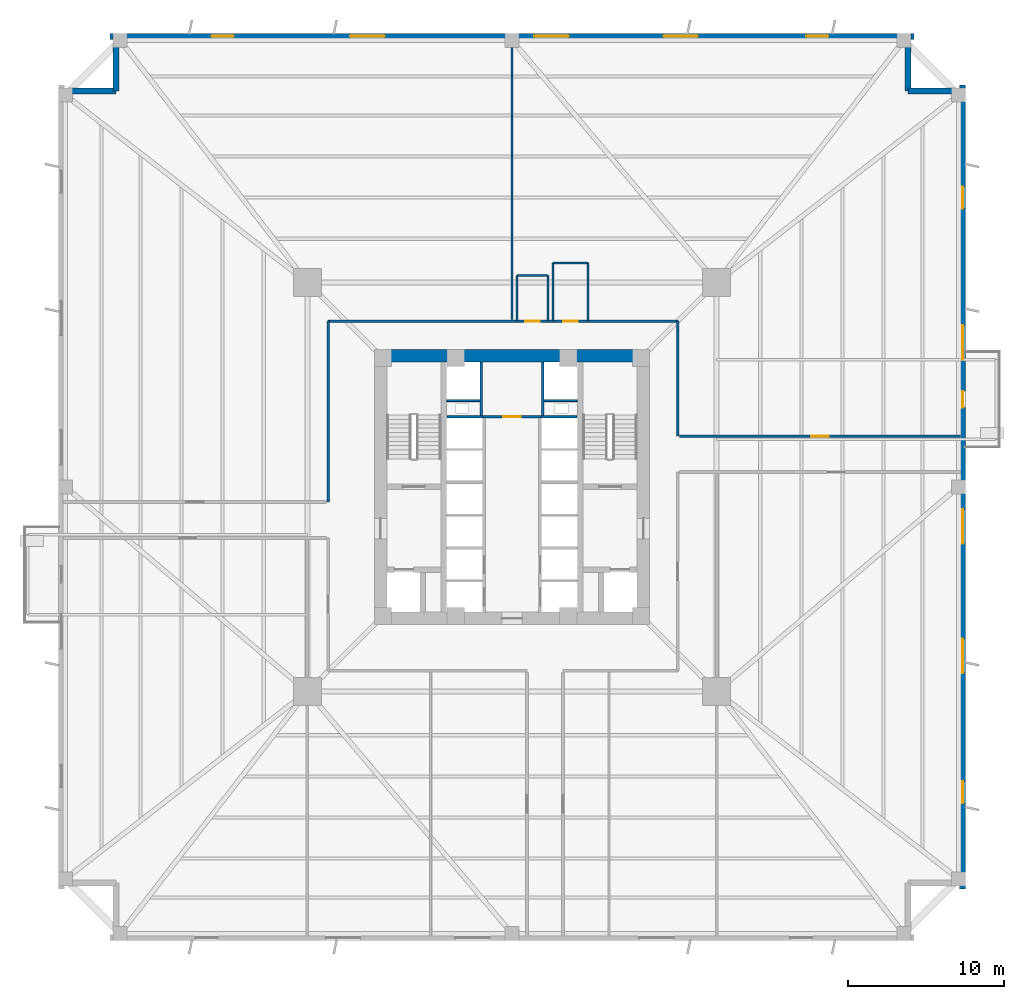
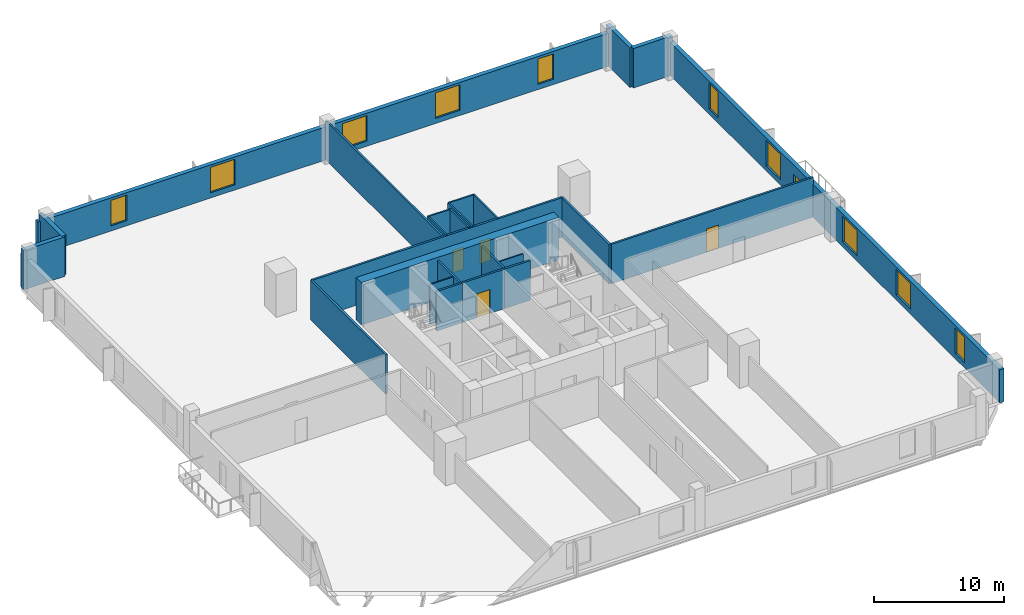
# One storey, part 4 of 9: 25 walls, 10 windows, 5 doors, 15 openings.
"""IFC4 building model written with IfcOpenShell, lengths in metres."""

import ifcopenshell
import ifcopenshell.guid

model = None  # the IFC model being written
_history = None  # IfcOwnerHistory: only IFC2X3 demands one
_inside = {}  # id of a spatial element -> (the spatial element, [elements in it])
_under = {}  # id of a project, library or spatial element -> (it, [spatial elements below it])
_declared = {}  # id of a project -> (the project, [libraries it declares])
_typed = {}  # id of a type object -> (the type object, [elements of that type])
_made_of = {}  # id of a material, layer set ... -> (it, [elements and type objects made of it])


def new_model(schema):
    """Start an empty IFC model of exactly this schema.

    Asked for "IFC4X3", IfcOpenShell would pick the latest addendum, in which some entities
    have other attributes; the version numbers below select the first issue.
    IFC2X3 requires an IfcOwnerHistory on every rooted entity: one is made here for all.
    """
    global model, _history
    if schema == "IFC4X3":
        model = ifcopenshell.file(schema_version=(4, 3, 0, 0))
    else:
        model = ifcopenshell.file(schema=schema)
    _inside.clear()
    _under.clear()
    _declared.clear()
    _typed.clear()
    _made_of.clear()
    _history = None
    if model.schema == "IFC2X3":
        org = make("IfcOrganization", Name="unknown")
        user = make(
            "IfcPersonAndOrganization",
            ThePerson=make("IfcPerson", FamilyName="unknown"),
            TheOrganization=org,
        )
        app = make(
            "IfcApplication",
            ApplicationDeveloper=org,
            Version="unknown",
            ApplicationFullName="unknown",
            ApplicationIdentifier="unknown",
        )
        _history = make(
            "IfcOwnerHistory",
            OwningUser=user,
            OwningApplication=app,
            ChangeAction="ADDED",
            CreationDate=0,
        )
    return model


def make(cls, **values):
    """One entity of the class cls with the attributes given. An attribute that is None is left unset."""
    return model.create_entity(
        cls, **{name: value for name, value in values.items() if value is not None}
    )


def rooted(cls, **values):
    """An entity with a GlobalId (a new one), such as an element, a storey or a relation."""
    return make(cls, GlobalId=ifcopenshell.guid.new(), OwnerHistory=_history, **values)


def si_unit(unit_type, name, prefix=None):
    """IfcSIUnit, for example si_unit("LENGTHUNIT", "METRE", prefix="MILLI")."""
    return make("IfcSIUnit", UnitType=unit_type, Prefix=prefix, Name=name)


def assignment(units):
    """IfcUnitAssignment: the units of a project."""
    return None if units is None else make("IfcUnitAssignment", Units=units)


def point(xyz):
    """IfcCartesianPoint."""
    return None if xyz is None else make("IfcCartesianPoint", Coordinates=xyz)


def direction(xyz):
    """IfcDirection."""
    return None if xyz is None else make("IfcDirection", DirectionRatios=xyz)


def frame(location, z_axis=None, x_axis=None):
    """IfcAxis2Placement3D, a coordinate frame: its origin and axes. An axis left out is left unset."""
    return make(
        "IfcAxis2Placement3D",
        Location=point(location),
        Axis=direction(z_axis),
        RefDirection=direction(x_axis),
    )


def frame_2d(location, x_axis=None):
    """IfcAxis2Placement2D, a coordinate frame in the plane: its origin and x axis."""
    return make(
        "IfcAxis2Placement2D", Location=point(location), RefDirection=direction(x_axis)
    )


def origin():
    """The frame at (0, 0, 0) with its axes left unset."""
    return frame((0.0, 0.0, 0.0))


def place(relative_to, where):
    """IfcLocalPlacement: puts the frame where relative to a parent placement (None: the world)."""
    return make(
        "IfcLocalPlacement", PlacementRelTo=relative_to, RelativePlacement=where
    )


def context(
    kind, dimensions, precision=None, world=None, true_north=None, identifier=None
):
    """IfcGeometricRepresentationContext, for example the 3D "Model" context."""
    return make(
        "IfcGeometricRepresentationContext",
        ContextIdentifier=identifier,
        ContextType=kind,
        CoordinateSpaceDimension=dimensions,
        Precision=precision,
        WorldCoordinateSystem=world,
        TrueNorth=true_north,
    )


def subcontext(parent, identifier, kind, view, scale=None):
    """IfcGeometricRepresentationSubContext, for example "Body" below "Model"."""
    return make(
        "IfcGeometricRepresentationSubContext",
        ContextIdentifier=identifier,
        ContextType=kind,
        ParentContext=parent,
        TargetScale=scale,
        TargetView=view,
    )


def project(units=None, contexts=None):
    """IfcProject with its units and contexts."""
    return rooted(
        "IfcProject",
        Name="project",
        RepresentationContexts=contexts,
        UnitsInContext=assignment(units),
    )


def spatial(cls, under=None, at=None, **own):
    """A site, building, storey or space (cls), placed at a placement, below another one or the project."""
    s = rooted(cls, ObjectPlacement=at, **own)
    if under is not None:
        _under.setdefault(under.id(), (under, []))[1].append(s)
    return s


def profile(cls, at=None, kind="AREA", **sizes):
    """A parametric profile (cls). Its sizes go by their IFC names, for example OverallWidth=200.0."""
    return make(cls, ProfileType=kind, Position=at, **sizes)


def rectangle(**sizes):
    """IfcRectangleProfileDef."""
    return profile("IfcRectangleProfileDef", **sizes)


def extrude(swept, where, along, depth):
    """IfcExtrudedAreaSolid: the profile swept, set in the frame where, extruded along a direction by depth."""
    return make(
        "IfcExtrudedAreaSolid",
        SweptArea=swept,
        Position=where,
        ExtrudedDirection=direction(along),
        Depth=depth,
    )


def shape(context_of_items, identifier, shape_type, items):
    """IfcShapeRepresentation: the items that make up one representation, for example the "Body"."""
    return make(
        "IfcShapeRepresentation",
        ContextOfItems=context_of_items,
        RepresentationIdentifier=identifier,
        RepresentationType=shape_type,
        Items=items,
    )


def source(mapping_origin, context_of_items, identifier, shape_type, items):
    """IfcRepresentationMap: a shape defined once, which mapped items show again and again."""
    return make(
        "IfcRepresentationMap",
        MappingOrigin=mapping_origin,
        MappedRepresentation=shape(context_of_items, identifier, shape_type, items),
    )


def transform(
    local_origin,
    x_axis=None,
    y_axis=None,
    z_axis=None,
    scale=None,
    scale2=None,
    scale3=None,
    uniform=True,
):
    """IfcCartesianTransformationOperator3D, or its non-uniform kind. x_axis, y_axis, z_axis: its Axis1, 2, 3."""
    if uniform:
        return make(
            "IfcCartesianTransformationOperator3D",
            Axis1=direction(x_axis),
            Axis2=direction(y_axis),
            LocalOrigin=point(local_origin),
            Scale=scale,
            Axis3=direction(z_axis),
        )
    return make(
        "IfcCartesianTransformationOperator3DnonUniform",
        Axis1=direction(x_axis),
        Axis2=direction(y_axis),
        LocalOrigin=point(local_origin),
        Scale=scale,
        Axis3=direction(z_axis),
        Scale2=scale2,
        Scale3=scale3,
    )


def mapped(mapping_source, mapping_target):
    """IfcMappedItem: shows the shape of a source again, moved by a transform."""
    return make(
        "IfcMappedItem", MappingSource=mapping_source, MappingTarget=mapping_target
    )


def material(Name=None, Category=None):
    """IfcMaterial."""
    return make("IfcMaterial", Name=Name, Category=Category)


def layer(
    of_material, thickness, ventilated=None, Name=None, Category=None, Priority=None
):
    """IfcMaterialLayer: one layer of a wall or slab, of a material (None: an air gap)."""
    return make(
        "IfcMaterialLayer",
        Material=of_material,
        LayerThickness=thickness,
        IsVentilated=ventilated,
        Name=Name,
        Category=Category,
        Priority=Priority,
    )


def layer_set(layers, Name=None):
    """IfcMaterialLayerSet."""
    return make("IfcMaterialLayerSet", MaterialLayers=layers, LayerSetName=Name)


def made_of(thing, what):
    """Note that an element or type object is made of a material, layer set ...; save() writes the relation."""
    if what is not None:
        _made_of.setdefault(what.id(), (what, []))[1].append(thing)
    return thing


def type_object(cls, material=None, **own):
    """A type object (cls), such as IfcWallType, which elements share."""
    return made_of(rooted(cls, **own), material)


def element(
    cls,
    number,
    at=None,
    inside=None,
    cuts=None,
    type_object=None,
    material=None,
    context=None,
    identifier="Body",
    shape_type=None,
    held_by="IfcProductDefinitionShape",
    body=None,
    shapes=None,
    **own,
):
    """One element of the class cls, such as IfcWall. Its Tag is "e" and its number.

    at: its placement. inside: the storey or other place that contains it. cuts: it is an
    opening in that element (IfcRelVoidsElement). A single representation is given by context,
    identifier, shape_type and body (its items); several are given by shapes. held_by: the class
    of the entity that holds the representations. save() writes the other relations.
    """
    e = rooted(cls, Tag="e%d" % number, ObjectPlacement=at, **own)
    if body is not None:
        shapes = [shape(context, identifier, shape_type, body)]
    if shapes is not None:
        e.Representation = make(held_by, Representations=shapes)
    if inside is not None:
        _inside.setdefault(inside.id(), (inside, []))[1].append(e)
    if cuts is not None:
        rooted(
            "IfcRelVoidsElement", RelatingBuildingElement=cuts, RelatedOpeningElement=e
        )
    if type_object is not None:
        _typed.setdefault(type_object.id(), (type_object, []))[1].append(e)
    return made_of(e, material)


def fill(opening, filler):
    """IfcRelFillsElement: the door or window that sits in an opening."""
    return rooted(
        "IfcRelFillsElement",
        RelatingOpeningElement=opening,
        RelatedBuildingElement=filler,
    )


def aggregate(whole, parts):
    """IfcRelAggregates: a whole, such as a stair, and the parts it consists of."""
    return rooted("IfcRelAggregates", RelatingObject=whole, RelatedObjects=parts)


def save(model, path):
    """Write the relations noted so far, then the file.

    IfcRelAggregates (storeys below a building ...), IfcRelContainedInSpatialStructure (elements
    in a storey), IfcRelDefinesByType, IfcRelAssociatesMaterial and IfcRelDeclares: one each for
    every whole, place, type object, material and project.
    """
    for whole, parts in _under.values():
        aggregate(whole, parts)
    for where, things in _inside.values():
        rooted(
            "IfcRelContainedInSpatialStructure",
            RelatedElements=things,
            RelatingStructure=where,
        )
    for kind, things in _typed.values():
        rooted("IfcRelDefinesByType", RelatedObjects=things, RelatingType=kind)
    for what, things in _made_of.values():
        rooted("IfcRelAssociatesMaterial", RelatedObjects=things, RelatingMaterial=what)
    for by, libraries in _declared.values():
        rooted("IfcRelDeclares", RelatingContext=by, RelatedDefinitions=libraries)
    model.write(path)


model = new_model("IFC4")

# Units and contexts
model_context = context("Model", 3, precision=1e-05, world=origin(), true_north=direction((0.0, 1.0)))
body_context = subcontext(model_context, "Body", "Model", "MODEL_VIEW")
ifc_project = project(units=[si_unit("LENGTHUNIT", "METRE"), si_unit("AREAUNIT", "SQUARE_METRE"), si_unit("VOLUMEUNIT", "CUBIC_METRE"), si_unit("PLANEANGLEUNIT", "RADIAN"), si_unit("MASSUNIT", "GRAM", prefix="KILO"), si_unit("THERMODYNAMICTEMPERATUREUNIT", "KELVIN")], contexts=[model_context])

# Site, building, storey
site_placement = place(None, origin())
site = spatial("IfcSite", under=ifc_project, at=site_placement, CompositionType="ELEMENT")
building_placement = place(site_placement, origin())
building = spatial("IfcBuilding", under=site, at=building_placement, Name="Kosmvard Interchange Tower", CompositionType="ELEMENT")
storey_placement = place(building_placement, frame((0.0, 0.0, 58.0)))
storey = spatial("IfcBuildingStorey", under=building, at=storey_placement, Name="L13", CompositionType="ELEMENT", Elevation=58.0)

# Walls
ifc_material_1 = material(Name="Acoustic gypsum partition system")
ifc_layer_1 = layer(ifc_material_1, 0.14990234375, Name="Acoustic gypsum partition system")
ifc_layer_set_1 = layer_set([ifc_layer_1], Name="Acoustic gypsum partition system")
wall_type_1 = type_object("IfcWallType", Name="Acoustic Suite & Meeting Partition 150", PredefinedType="PARTITIONING", material=ifc_layer_set_1)
wall_1_placement = place(storey_placement, frame((0.0, 10.695068359375, 0.0), z_axis=(0.0, 0.0, 1.0), x_axis=(0.0, 1.0, 0.0)))
element("IfcWall", 1, at=wall_1_placement, inside=storey, type_object=wall_type_1, Name="L13 Room Partition 01.1", PredefinedType="PARTITIONING", context=body_context, shape_type="SweptSolid", body=[
    extrude(rectangle(XDim=17.989990234375, YDim=0.14990234375, at=frame_2d((8.9951171875, 0.0))), origin(), (0.0, 0.0, 1.0), 3.719970703125),
])
ifc_material_2 = material(Name="Fire-rated gypsum partition system")
ifc_layer_2 = layer(ifc_material_2, 0.159912109375, Name="Fire-rated gypsum partition system")
ifc_layer_set_2 = layer_set([ifc_layer_2], Name="Fire-rated gypsum partition system")
wall_type_2 = type_object("IfcWallType", Name="Core Compartment & Shuttle Lobby Partition 160", PredefinedType="PARTITIONING", material=ifc_layer_set_2)
for number, where, z_axis, x_axis, name in (
    (2, (-1.9599609375, 4.580078125, 0.0), (0.0, 0.0, 1.0), (0.0, 1.0, 0.0), "L13 North Core West Wall"),
    (3, (1.9599609375, 4.580078125, 0.0), (0.0, 0.0, 1.0), (0.0, 1.0, 0.0), "L13 North Core East Wall"),
):
    element("IfcWall", number, at=place(storey_placement, frame(where, z_axis=z_axis, x_axis=x_axis)), inside=storey, type_object=wall_type_2, Name=name, PredefinedType="PARTITIONING", context=body_context, shape_type="SweptSolid", body=[
        extrude(rectangle(XDim=3.39990234375, YDim=0.159912109375, at=frame_2d((1.699951171875, 0.0))), origin(), (0.0, 0.0, 1.0), 3.719970703125),
    ])

# Wall, opening, door
ifc_layer_3 = layer(ifc_material_2, 0.179931640625, Name="Fire-rated gypsum partition system")
ifc_layer_set_3 = layer_set([ifc_layer_3], Name="Fire-rated gypsum partition system")
wall_type_3 = type_object("IfcWallType", Name="Corridor & Hotel Compartment Partition 180", PredefinedType="PARTITIONING", material=ifc_layer_set_3)
wall_2_placement = place(storey_placement, frame((-1.8798828125, 4.489990234375, 0.0), z_axis=(0.0, 0.0, 1.0), x_axis=(1.0, 0.0, 0.0)))
wall_2 = element("IfcWall", 4, at=wall_2_placement, inside=storey, type_object=wall_type_3, Name="L13 Lift Lobby North Partition", PredefinedType="PARTITIONING", context=body_context, shape_type="SweptSolid", body=[
    extrude(rectangle(XDim=3.759765625, YDim=0.179931640625, at=frame_2d((1.8798828125, 0.0))), origin(), (0.0, 0.0, 1.0), 3.719970703125),
])
opening_1_placement = place(wall_2_placement, frame((1.304931640625, 0.0, 0.0)))
opening_1 = element("IfcOpeningElement", 5, at=opening_1_placement, cuts=wall_2, Name="Opening L13-KD1", PredefinedType="OPENING", context=body_context, shape_type="SweptSolid", body=[
    extrude(rectangle(XDim=1.14990234375, YDim=2.25, at=frame_2d((0.574951171875, 1.125))), frame((0.0, 0.10009765625, 0.0), z_axis=(0.0, -1.0, 0.0), x_axis=(1.0, 0.0, 0.0)), (0.0, 0.0, 1.0), 0.199951171875),
])
ifc_material_3 = material(Name="Painted fire-rated steel leaf", Category="steel")
door_type_1 = type_object("IfcDoorType", Name="Plant & Riser Fire Door 1150x2250 EI60", OperationType="NOTDEFINED", PredefinedType="DOOR", material=ifc_material_3)
shared_shape_1 = source(origin(), body_context, "Body", "SweptSolid", [
    extrude(rectangle(XDim=1.14990234375, YDim=2.25, at=frame_2d((0.574951171875, 1.125))), frame((0.0, 0.02490234375, 0.0), z_axis=(0.0, -1.0, 0.0), x_axis=(1.0, 0.0, 0.0)), (0.0, 0.0, 1.0), 0.050048828125),
])
door_1_placement = place(opening_1_placement, origin())
door_1 = element("IfcDoor", 6, at=door_1_placement, inside=storey, type_object=door_type_1, Name="L13 Core IT Room Door", OperationType="SINGLE_SWING_LEFT", OverallHeight=2.25, OverallWidth=1.14990234375, PredefinedType="DOOR", context=body_context, shape_type="MappedRepresentation", body=[
    mapped(shared_shape_1, transform((0.0, 0.0, 0.0), scale=1.0)),
])
fill(opening_1, door_1)

# Wall, openings, doors
wall_3_placement = place(storey_placement, frame((-11.75, 10.60009765625, 0.0), z_axis=(0.0, 0.0, 1.0), x_axis=(1.0, 0.0, 0.0)))
wall_3 = element("IfcWall", 7, at=wall_3_placement, inside=storey, type_object=wall_type_3, Name="L13 Corridor Wall CN", PredefinedType="PARTITIONING", context=body_context, shape_type="SweptSolid", body=[
    extrude(rectangle(XDim=22.35009765625, YDim=0.179931640625, at=frame_2d((11.175048828125, 0.0))), origin(), (0.0, 0.0, 1.0), 3.719970703125),
])
opening_2_placement = place(wall_3_placement, frame((12.586181640625, 0.0, 0.0)))
opening_2 = element("IfcOpeningElement", 8, at=opening_2_placement, cuts=wall_3, Name="Opening L13-D01", PredefinedType="OPENING", context=body_context, shape_type="SweptSolid", body=[
    extrude(rectangle(XDim=0.949951171875, YDim=2.10009765625, at=frame_2d((0.47509765625, 1.050048828125))), frame((0.0, 0.10009765625, 0.0), z_axis=(0.0, -1.0, 0.0), x_axis=(1.0, 0.0, 0.0)), (0.0, 0.0, 1.0), 0.199951171875),
])
opening_3_placement = place(wall_3_placement, frame((15.01025390625, 0.0, 0.0)))
opening_3 = element("IfcOpeningElement", 9, at=opening_3_placement, cuts=wall_3, Name="Opening L13-D02", PredefinedType="OPENING", context=body_context, shape_type="SweptSolid", body=[
    extrude(rectangle(XDim=0.949951171875, YDim=2.10009765625, at=frame_2d((0.47509765625, 1.050048828125))), frame((0.0, 0.10009765625, 0.0), z_axis=(0.0, -1.0, 0.0), x_axis=(1.0, 0.0, 0.0)), (0.0, 0.0, 1.0), 0.199951171875),
])
ifc_material_4 = material(Name="Laminated moisture-resistant timber", Category="wood")
door_type_2 = type_object("IfcDoorType", Name="Accessible Washroom Door 950x2100", OperationType="NOTDEFINED", PredefinedType="DOOR", material=ifc_material_4)
shared_shape_2 = source(origin(), body_context, "Body", "SweptSolid", [
    extrude(rectangle(XDim=0.949951171875, YDim=2.10009765625, at=frame_2d((0.47509765625, 1.050048828125))), frame((0.0, 0.02490234375, 0.0), z_axis=(0.0, -1.0, 0.0), x_axis=(1.0, 0.0, 0.0)), (0.0, 0.0, 1.0), 0.050048828125),
])
door_2_placement = place(opening_2_placement, origin())
door_2 = element("IfcDoor", 10, at=door_2_placement, inside=storey, type_object=door_type_2, Name="L13 Accessible Toilet Door", OperationType="SINGLE_SWING_LEFT", OverallHeight=2.10009765625, OverallWidth=0.949951171875, PredefinedType="DOOR", context=body_context, shape_type="MappedRepresentation", body=[
    mapped(shared_shape_2, transform((0.0, 0.0, 0.0), scale=1.0)),
])
fill(opening_2, door_2)
door_3_placement = place(opening_3_placement, origin())
door_3 = element("IfcDoor", 11, at=door_3_placement, inside=storey, type_object=door_type_2, Name="L13 Public Floor Washroom Door", OperationType="SINGLE_SWING_RIGHT", OverallHeight=2.10009765625, OverallWidth=0.949951171875, PredefinedType="DOOR", context=body_context, shape_type="MappedRepresentation", body=[
    mapped(shared_shape_2, transform((0.0, 0.0, 0.0), scale=1.0)),
])
fill(opening_3, door_3)

# Walls
wall_4_placement = place(storey_placement, frame((-11.75, -0.949951171875, 0.0), z_axis=(0.0, 0.0, 1.0), x_axis=(0.0, 1.0, 0.0)))
element("IfcWall", 12, at=wall_4_placement, inside=storey, type_object=wall_type_3, Name="L13 Corridor Wall CWN", PredefinedType="PARTITIONING", context=body_context, shape_type="SweptSolid", body=[
    extrude(rectangle(XDim=11.550048828125, YDim=0.179931640625, at=frame_2d((5.77490234375, 0.0))), origin(), (0.0, 0.0, 1.0), 3.719970703125),
])
wall_5_placement = place(storey_placement, frame((10.60009765625, 3.25, 0.0), z_axis=(0.0, 0.0, 1.0), x_axis=(0.0, 1.0, 0.0)))
element("IfcWall", 13, at=wall_5_placement, inside=storey, type_object=wall_type_3, Name="L13 Corridor Wall CEN", PredefinedType="PARTITIONING", context=body_context, shape_type="SweptSolid", body=[
    extrude(rectangle(XDim=7.35009765625, YDim=0.179931640625, at=frame_2d((3.675048828125, 0.0))), origin(), (0.0, 0.0, 1.0), 3.719970703125),
])

# Wall, opening, door
wall_6_placement = place(storey_placement, frame((10.699951171875, 3.25, 0.0), z_axis=(0.0, 0.0, 1.0), x_axis=(1.0, 0.0, 0.0)))
wall_6 = element("IfcWall", 14, at=wall_6_placement, inside=storey, type_object=wall_type_3, Name="L13 Corridor Wall SEN", PredefinedType="PARTITIONING", context=body_context, shape_type="SweptSolid", body=[
    extrude(rectangle(XDim=17.985107421875, YDim=0.179931640625, at=frame_2d((8.99267578125, 0.0))), origin(), (0.0, 0.0, 1.0), 3.719970703125),
])
opening_4_placement = place(wall_6_placement, frame((8.4423828125, 0.0, 0.0)))
opening_4 = element("IfcOpeningElement", 15, at=opening_4_placement, cuts=wall_6, Name="Opening L13-D04", PredefinedType="OPENING", context=body_context, shape_type="SweptSolid", body=[
    extrude(rectangle(XDim=1.10009765625, YDim=2.199951171875, at=frame_2d((0.550048828125, 1.10009765625))), frame((0.0, 0.10009765625, 0.0), z_axis=(0.0, -1.0, 0.0), x_axis=(1.0, 0.0, 0.0)), (0.0, 0.0, 1.0), 0.199951171875),
])
ifc_material_5 = material(Name="Engineered oak fire-rated timber", Category="wood")
door_type_3 = type_object("IfcDoorType", Name="Office Suite Entrance Door 1100x2200 FD30S", OperationType="NOTDEFINED", PredefinedType="DOOR", material=ifc_material_5)
shared_shape_3 = source(origin(), body_context, "Body", "SweptSolid", [
    extrude(rectangle(XDim=1.10009765625, YDim=2.199951171875, at=frame_2d((0.550048828125, 1.10009765625))), frame((0.0, 0.02490234375, 0.0), z_axis=(0.0, -1.0, 0.0), x_axis=(1.0, 0.0, 0.0)), (0.0, 0.0, 1.0), 0.050048828125),
])
door_4_placement = place(opening_4_placement, origin())
door_4 = element("IfcDoor", 16, at=door_4_placement, inside=storey, type_object=door_type_3, Name="L13 Transit Briefing Auditorium Door", OperationType="SINGLE_SWING_RIGHT", OverallHeight=2.199951171875, OverallWidth=1.10009765625, PredefinedType="DOOR", context=body_context, shape_type="MappedRepresentation", body=[
    mapped(shared_shape_3, transform((0.0, 0.0, 0.0), scale=1.0)),
])
fill(opening_4, door_4)

# Wall
ifc_material_6 = material(Name="Concrete C80/95", Category="concrete")
ifc_layer_4 = layer(ifc_material_6, 0.800048828125, Name="Concrete C80/95")
ifc_layer_set_4 = layer_set([ifc_layer_4], Name="Concrete C80/95")
wall_type_4 = type_object("IfcWallType", Name="Lower Core Shear Wall 800 C80/95", PredefinedType="SHEAR", material=ifc_layer_set_4)
wall_7_placement = place(storey_placement, frame((-8.800048828125, 8.39990234375, 0.0), z_axis=(0.0, 0.0, 1.0), x_axis=(1.0, 0.0, 0.0)))
element("IfcWall", 17, at=wall_7_placement, inside=storey, type_object=wall_type_4, Name="L13 Core Shear Wall CW-N", PredefinedType="SHEAR", context=body_context, shape_type="SweptSolid", body=[
    extrude(rectangle(XDim=17.60009765625, YDim=0.800048828125, at=frame_2d((8.800048828125, 0.0))), origin(), (0.0, 0.0, 1.0), 4.0),
])

# Wall, openings, door, windows
ifc_material_7 = material(Name="Precast concrete C45/55", Category="concrete")
ifc_layer_5 = layer(ifc_material_7, 0.3798828125, Name="Precast concrete C45/55")
ifc_layer_set_5 = layer_set([ifc_layer_5], Name="Precast concrete C45/55")
wall_type_5 = type_object("IfcWallType", Name="Lower Tower Precast Pier Wall 380 C45/55", PredefinedType="STANDARD", material=ifc_layer_set_5)
wall_8_placement = place(storey_placement, frame((28.81005859375, -25.68994140625, 0.0), z_axis=(0.0, 0.0, 1.0), x_axis=(0.0, 1.0, 0.0)))
wall_8 = element("IfcWall", 18, at=wall_8_placement, inside=storey, type_object=wall_type_5, Name="L13 Precast Facade Wall F-E", PredefinedType="STANDARD", context=body_context, shape_type="SweptSolid", body=[
    extrude(rectangle(XDim=51.3798828125, YDim=0.3798828125, at=frame_2d((25.68994140625, 0.0))), origin(), (0.0, 0.0, 1.0), 3.1201171875),
])
opening_5_placement = place(wall_8_placement, frame((30.764892578125, 0.0, 0.0)))
opening_5 = element("IfcOpeningElement", 19, at=opening_5_placement, cuts=wall_8, Name="Opening L13-BDE", PredefinedType="OPENING", context=body_context, shape_type="SweptSolid", body=[
    extrude(rectangle(XDim=1.050048828125, YDim=2.25, at=frame_2d((0.52490234375, 1.125))), frame((0.0, 0.199951171875, 0.0), z_axis=(0.0, -1.0, 0.0), x_axis=(1.0, 0.0, 0.0)), (0.0, 0.0, 1.0), 0.39990234375),
])
opening_6_placement = place(wall_8_placement, frame((5.465576171875, 0.0, 0.489990234375)))
opening_6 = element("IfcOpeningElement", 20, at=opening_6_placement, cuts=wall_8, Name="Opening L13-W06", PredefinedType="OPENING", context=body_context, shape_type="SweptSolid", body=[
    extrude(rectangle(XDim=1.39990234375, YDim=2.39990234375, at=frame_2d((0.699951171875, 1.199951171875))), frame((0.0, 0.199951171875, 0.0), z_axis=(0.0, -1.0, 0.0), x_axis=(1.0, 0.0, 0.0)), (0.0, 0.0, 1.0), 0.39990234375),
])
opening_7_placement = place(wall_8_placement, frame((13.80029296875, 0.0, 0.489990234375)))
opening_7 = element("IfcOpeningElement", 21, at=opening_7_placement, cuts=wall_8, Name="Opening L13-W07", PredefinedType="OPENING", context=body_context, shape_type="SweptSolid", body=[
    extrude(rectangle(XDim=2.199951171875, YDim=2.39990234375, at=frame_2d((1.10009765625, 1.199951171875))), frame((0.0, 0.199951171875, 0.0), z_axis=(0.0, -1.0, 0.0), x_axis=(1.0, 0.0, 0.0)), (0.0, 0.0, 1.0), 0.39990234375),
])
opening_8_placement = place(wall_8_placement, frame((22.0625, 0.0, 0.489990234375)))
opening_8 = element("IfcOpeningElement", 22, at=opening_8_placement, cuts=wall_8, Name="Opening L13-W08", PredefinedType="OPENING", context=body_context, shape_type="SweptSolid", body=[
    extrude(rectangle(XDim=2.199951171875, YDim=2.39990234375, at=frame_2d((1.10009765625, 1.199951171875))), frame((0.0, 0.199951171875, 0.0), z_axis=(0.0, -1.0, 0.0), x_axis=(1.0, 0.0, 0.0)), (0.0, 0.0, 1.0), 0.39990234375),
])
opening_9_placement = place(wall_8_placement, frame((33.83837890625, 0.0, 0.489990234375)))
opening_9 = element("IfcOpeningElement", 23, at=opening_9_placement, cuts=wall_8, Name="Opening L13-W09", PredefinedType="OPENING", context=body_context, shape_type="SweptSolid", body=[
    extrude(rectangle(XDim=2.199951171875, YDim=2.39990234375, at=frame_2d((1.10009765625, 1.199951171875))), frame((0.0, 0.199951171875, 0.0), z_axis=(0.0, -1.0, 0.0), x_axis=(1.0, 0.0, 0.0)), (0.0, 0.0, 1.0), 0.39990234375),
])
opening_10_placement = place(wall_8_placement, frame((43.48681640625, 0.0, 0.489990234375)))
opening_10 = element("IfcOpeningElement", 24, at=opening_10_placement, cuts=wall_8, Name="Opening L13-W10", PredefinedType="OPENING", context=body_context, shape_type="SweptSolid", body=[
    extrude(rectangle(XDim=1.39990234375, YDim=2.39990234375, at=frame_2d((0.699951171875, 1.199951171875))), frame((0.0, 0.199951171875, 0.0), z_axis=(0.0, -1.0, 0.0), x_axis=(1.0, 0.0, 0.0)), (0.0, 0.0, 1.0), 0.39990234375),
])
ifc_material_8 = material(Name="Anodised aluminium and safety glass", Category="aluminium")
door_type_4 = type_object("IfcDoorType", Name="Tree-Balcony Glazed Door 1050x2250", OperationType="NOTDEFINED", PredefinedType="DOOR", material=ifc_material_8)
shared_shape_4 = source(origin(), body_context, "Body", "SweptSolid", [
    extrude(rectangle(XDim=1.050048828125, YDim=2.25, at=frame_2d((0.52490234375, 1.125))), frame((0.0, 0.02490234375, 0.0), z_axis=(0.0, -1.0, 0.0), x_axis=(1.0, 0.0, 0.0)), (0.0, 0.0, 1.0), 0.050048828125),
])
door_5_placement = place(opening_5_placement, origin())
door_5 = element("IfcDoor", 25, at=door_5_placement, inside=storey, type_object=door_type_4, Name="L13 Tree-Balcony Door BAL-L13-E", OperationType="SINGLE_SWING_RIGHT", OverallHeight=2.25, OverallWidth=1.050048828125, PredefinedType="DOOR", context=body_context, shape_type="MappedRepresentation", body=[
    mapped(shared_shape_4, transform((0.0, 0.0, 0.0), scale=1.0)),
])
fill(opening_5, door_5)
ifc_material_9 = material(Name="Low-E solar-control double glazing", Category="glass")
window_type_1 = type_object("IfcWindowType", Name="Notched Corner Feature Window 1400x2400", PartitioningType="SINGLE_PANEL", PredefinedType="WINDOW", material=ifc_material_9)
shared_shape_5 = source(origin(), body_context, "Body", "SweptSolid", [
    extrude(rectangle(XDim=1.39990234375, YDim=2.39990234375, at=frame_2d((0.699951171875, 1.199951171875))), frame((0.0, 0.030029296875, 0.0), z_axis=(0.0, -1.0, 0.0), x_axis=(1.0, 0.0, 0.0)), (0.0, 0.0, 1.0), 0.06005859375),
])
window_1_placement = place(opening_6_placement, origin())
window_1 = element("IfcWindow", 26, at=window_1_placement, inside=storey, type_object=window_type_1, Name="L13 Facade Punched Window 06", OverallHeight=2.39990234375, OverallWidth=1.39990234375, PartitioningType="SINGLE_PANEL", PredefinedType="WINDOW", context=body_context, shape_type="MappedRepresentation", body=[
    mapped(shared_shape_5, transform((0.0, 0.0, 0.0), scale=1.0)),
])
fill(opening_6, window_1)
window_2_placement = place(opening_10_placement, origin())
window_2 = element("IfcWindow", 27, at=window_2_placement, inside=storey, type_object=window_type_1, Name="L13 Facade Punched Window 10", OverallHeight=2.39990234375, OverallWidth=1.39990234375, PartitioningType="SINGLE_PANEL", PredefinedType="WINDOW", context=body_context, shape_type="MappedRepresentation", body=[
    mapped(shared_shape_5, transform((0.0, 0.0, 0.0), scale=1.0)),
])
fill(opening_10, window_2)
window_type_2 = type_object("IfcWindowType", Name="Zone 1 Office Punched Window 2200x2400", PartitioningType="SINGLE_PANEL", PredefinedType="WINDOW", material=ifc_material_9)
shared_shape_6 = source(origin(), body_context, "Body", "SweptSolid", [
    extrude(rectangle(XDim=2.199951171875, YDim=2.39990234375, at=frame_2d((1.10009765625, 1.199951171875))), frame((0.0, 0.030029296875, 0.0), z_axis=(0.0, -1.0, 0.0), x_axis=(1.0, 0.0, 0.0)), (0.0, 0.0, 1.0), 0.06005859375),
])
window_3_placement = place(opening_7_placement, origin())
window_3 = element("IfcWindow", 28, at=window_3_placement, inside=storey, type_object=window_type_2, Name="L13 Facade Punched Window 07", OverallHeight=2.39990234375, OverallWidth=2.199951171875, PartitioningType="SINGLE_PANEL", PredefinedType="WINDOW", context=body_context, shape_type="MappedRepresentation", body=[
    mapped(shared_shape_6, transform((0.0, 0.0, 0.0), scale=1.0)),
])
fill(opening_7, window_3)
window_4_placement = place(opening_8_placement, origin())
window_4 = element("IfcWindow", 29, at=window_4_placement, inside=storey, type_object=window_type_2, Name="L13 Facade Punched Window 08", OverallHeight=2.39990234375, OverallWidth=2.199951171875, PartitioningType="SINGLE_PANEL", PredefinedType="WINDOW", context=body_context, shape_type="MappedRepresentation", body=[
    mapped(shared_shape_6, transform((0.0, 0.0, 0.0), scale=1.0)),
])
fill(opening_8, window_4)
window_5_placement = place(opening_9_placement, origin())
window_5 = element("IfcWindow", 30, at=window_5_placement, inside=storey, type_object=window_type_2, Name="L13 Facade Punched Window 09", OverallHeight=2.39990234375, OverallWidth=2.199951171875, PartitioningType="SINGLE_PANEL", PredefinedType="WINDOW", context=body_context, shape_type="MappedRepresentation", body=[
    mapped(shared_shape_6, transform((0.0, 0.0, 0.0), scale=1.0)),
])
fill(opening_9, window_5)

# Walls
wall_9_placement = place(storey_placement, frame((28.81005859375, 25.31005859375, 0.0), z_axis=(0.0, 0.0, 1.0), x_axis=(-1.0, 0.0, 0.0)))
element("IfcWall", 31, at=wall_9_placement, inside=storey, type_object=wall_type_5, Name="L13 Precast Facade Wall N-NE1", PredefinedType="STANDARD", context=body_context, shape_type="SweptSolid", body=[
    extrude(rectangle(XDim=3.5, YDim=0.3798828125, at=frame_2d((1.75, 0.0))), origin(), (0.0, 0.0, 1.0), 3.719970703125),
])
wall_10_placement = place(storey_placement, frame((25.31005859375, 25.31005859375, 0.0), z_axis=(0.0, 0.0, 1.0), x_axis=(0.0, 1.0, 0.0)))
element("IfcWall", 32, at=wall_10_placement, inside=storey, type_object=wall_type_5, Name="L13 Precast Facade Wall N-NE2", PredefinedType="STANDARD", context=body_context, shape_type="SweptSolid", body=[
    extrude(rectangle(XDim=3.68994140625, YDim=0.3798828125, at=frame_2d((1.844970703125, 0.0))), origin(), (0.0, 0.0, 1.0), 3.719970703125),
])

# Wall, openings, windows
wall_11_placement = place(storey_placement, frame((25.68994140625, 28.81005859375, 0.0), z_axis=(0.0, 0.0, 1.0), x_axis=(-1.0, 0.0, 0.0)))
wall_11 = element("IfcWall", 33, at=wall_11_placement, inside=storey, type_object=wall_type_5, Name="L13 Precast Facade Wall F-N", PredefinedType="STANDARD", context=body_context, shape_type="SweptSolid", body=[
    extrude(rectangle(XDim=51.3798828125, YDim=0.3798828125, at=frame_2d((25.68994140625, 0.0))), origin(), (0.0, 0.0, 1.0), 3.1201171875),
])
opening_11_placement = place(wall_11_placement, frame((5.465576171875, 0.0, 0.489990234375)))
opening_11 = element("IfcOpeningElement", 34, at=opening_11_placement, cuts=wall_11, Name="Opening L13-W11", PredefinedType="OPENING", context=body_context, shape_type="SweptSolid", body=[
    extrude(rectangle(XDim=1.39990234375, YDim=2.39990234375, at=frame_2d((0.699951171875, 1.199951171875))), frame((0.0, 0.199951171875, 0.0), z_axis=(0.0, -1.0, 0.0), x_axis=(1.0, 0.0, 0.0)), (0.0, 0.0, 1.0), 0.39990234375),
])
opening_12_placement = place(wall_11_placement, frame((13.80029296875, 0.0, 0.489990234375)))
opening_12 = element("IfcOpeningElement", 35, at=opening_12_placement, cuts=wall_11, Name="Opening L13-W12", PredefinedType="OPENING", context=body_context, shape_type="SweptSolid", body=[
    extrude(rectangle(XDim=2.199951171875, YDim=2.39990234375, at=frame_2d((1.10009765625, 1.199951171875))), frame((0.0, 0.199951171875, 0.0), z_axis=(0.0, -1.0, 0.0), x_axis=(1.0, 0.0, 0.0)), (0.0, 0.0, 1.0), 0.39990234375),
])
opening_13_placement = place(wall_11_placement, frame((22.0625, 0.0, 0.489990234375)))
opening_13 = element("IfcOpeningElement", 36, at=opening_13_placement, cuts=wall_11, Name="Opening L13-W13", PredefinedType="OPENING", context=body_context, shape_type="SweptSolid", body=[
    extrude(rectangle(XDim=2.199951171875, YDim=2.39990234375, at=frame_2d((1.10009765625, 1.199951171875))), frame((0.0, 0.199951171875, 0.0), z_axis=(0.0, -1.0, 0.0), x_axis=(1.0, 0.0, 0.0)), (0.0, 0.0, 1.0), 0.39990234375),
])
opening_14_placement = place(wall_11_placement, frame((33.83837890625, 0.0, 0.489990234375)))
opening_14 = element("IfcOpeningElement", 37, at=opening_14_placement, cuts=wall_11, Name="Opening L13-W14", PredefinedType="OPENING", context=body_context, shape_type="SweptSolid", body=[
    extrude(rectangle(XDim=2.199951171875, YDim=2.39990234375, at=frame_2d((1.10009765625, 1.199951171875))), frame((0.0, 0.199951171875, 0.0), z_axis=(0.0, -1.0, 0.0), x_axis=(1.0, 0.0, 0.0)), (0.0, 0.0, 1.0), 0.39990234375),
])
opening_15_placement = place(wall_11_placement, frame((43.48681640625, 0.0, 0.489990234375)))
opening_15 = element("IfcOpeningElement", 38, at=opening_15_placement, cuts=wall_11, Name="Opening L13-W15", PredefinedType="OPENING", context=body_context, shape_type="SweptSolid", body=[
    extrude(rectangle(XDim=1.39990234375, YDim=2.39990234375, at=frame_2d((0.699951171875, 1.199951171875))), frame((0.0, 0.199951171875, 0.0), z_axis=(0.0, -1.0, 0.0), x_axis=(1.0, 0.0, 0.0)), (0.0, 0.0, 1.0), 0.39990234375),
])
window_6_placement = place(opening_11_placement, origin())
window_6 = element("IfcWindow", 39, at=window_6_placement, inside=storey, type_object=window_type_1, Name="L13 Facade Punched Window 11", OverallHeight=2.39990234375, OverallWidth=1.39990234375, PartitioningType="SINGLE_PANEL", PredefinedType="WINDOW", context=body_context, shape_type="MappedRepresentation", body=[
    mapped(shared_shape_5, transform((0.0, 0.0, 0.0), scale=1.0)),
])
fill(opening_11, window_6)
window_7_placement = place(opening_15_placement, origin())
window_7 = element("IfcWindow", 40, at=window_7_placement, inside=storey, type_object=window_type_1, Name="L13 Facade Punched Window 15", OverallHeight=2.39990234375, OverallWidth=1.39990234375, PartitioningType="SINGLE_PANEL", PredefinedType="WINDOW", context=body_context, shape_type="MappedRepresentation", body=[
    mapped(shared_shape_5, transform((0.0, 0.0, 0.0), scale=1.0)),
])
fill(opening_15, window_7)
window_8_placement = place(opening_12_placement, origin())
window_8 = element("IfcWindow", 41, at=window_8_placement, inside=storey, type_object=window_type_2, Name="L13 Facade Punched Window 12", OverallHeight=2.39990234375, OverallWidth=2.199951171875, PartitioningType="SINGLE_PANEL", PredefinedType="WINDOW", context=body_context, shape_type="MappedRepresentation", body=[
    mapped(shared_shape_6, transform((0.0, 0.0, 0.0), scale=1.0)),
])
fill(opening_12, window_8)
window_9_placement = place(opening_13_placement, origin())
window_9 = element("IfcWindow", 42, at=window_9_placement, inside=storey, type_object=window_type_2, Name="L13 Facade Punched Window 13", OverallHeight=2.39990234375, OverallWidth=2.199951171875, PartitioningType="SINGLE_PANEL", PredefinedType="WINDOW", context=body_context, shape_type="MappedRepresentation", body=[
    mapped(shared_shape_6, transform((0.0, 0.0, 0.0), scale=1.0)),
])
fill(opening_13, window_9)
window_10_placement = place(opening_14_placement, origin())
window_10 = element("IfcWindow", 43, at=window_10_placement, inside=storey, type_object=window_type_2, Name="L13 Facade Punched Window 14", OverallHeight=2.39990234375, OverallWidth=2.199951171875, PartitioningType="SINGLE_PANEL", PredefinedType="WINDOW", context=body_context, shape_type="MappedRepresentation", body=[
    mapped(shared_shape_6, transform((0.0, 0.0, 0.0), scale=1.0)),
])
fill(opening_14, window_10)

# Walls
wall_12_placement = place(storey_placement, frame((-25.31005859375, 28.81005859375, 0.0), z_axis=(0.0, 0.0, 1.0), x_axis=(0.0, -1.0, 0.0)))
element("IfcWall", 44, at=wall_12_placement, inside=storey, type_object=wall_type_5, Name="L13 Precast Facade Wall N-NW1", PredefinedType="STANDARD", context=body_context, shape_type="SweptSolid", body=[
    extrude(rectangle(XDim=3.5, YDim=0.3798828125, at=frame_2d((1.75, 0.0))), origin(), (0.0, 0.0, 1.0), 3.719970703125),
])
wall_13_placement = place(storey_placement, frame((-25.31005859375, 25.31005859375, 0.0), z_axis=(0.0, 0.0, 1.0), x_axis=(-1.0, 0.0, 0.0)))
element("IfcWall", 45, at=wall_13_placement, inside=storey, type_object=wall_type_5, Name="L13 Precast Facade Wall N-NW2", PredefinedType="STANDARD", context=body_context, shape_type="SweptSolid", body=[
    extrude(rectangle(XDim=3.68994140625, YDim=0.3798828125, at=frame_2d((1.844970703125, 0.0))), origin(), (0.0, 0.0, 1.0), 3.719970703125),
])
ifc_material_10 = material(Name="Concrete blockwork masonry", Category="masonry")
ifc_layer_6 = layer(ifc_material_10, 0.179931640625, Name="Concrete blockwork masonry")
ifc_layer_set_6 = layer_set([ifc_layer_6], Name="Concrete blockwork masonry")
wall_type_6 = type_object("IfcWallType", Name="Riser & Lift Bank Divider Wall 180", PredefinedType="PARTITIONING", material=ifc_layer_set_6)
for number, where, z_axis, x_axis, name in (
    (46, (-4.169921875, 4.489990234375, 0.0), (0.0, 0.0, 1.0), (1.0, 0.0, 0.0), "L13 West Bank Divider BD3"),
    (47, (1.889892578125, 4.489990234375, 0.0), (0.0, 0.0, 1.0), (1.0, 0.0, 0.0), "L13 East Bank Divider BD3"),
):
    element("IfcWall", number, at=place(storey_placement, frame(where, z_axis=z_axis, x_axis=x_axis)), inside=storey, type_object=wall_type_6, Name=name, PredefinedType="PARTITIONING", context=body_context, shape_type="SweptSolid", body=[
        extrude(rectangle(XDim=2.280029296875, YDim=0.179931640625, at=frame_2d((1.14013671875, 0.0))), origin(), (0.0, 0.0, 1.0), 3.719970703125),
    ])
ifc_material_11 = material(Name="Fire-rated gypsum shaftwall system")
ifc_layer_7 = layer(ifc_material_11, 0.1201171875, Name="Fire-rated gypsum shaftwall system")
ifc_layer_set_7 = layer_set([ifc_layer_7], Name="Fire-rated gypsum shaftwall system")
wall_type_7 = type_object("IfcWallType", Name="Shaft & Riser Fire Partition 120 EI60", PredefinedType="PARTITIONING", material=ifc_layer_set_7)
for number, where, z_axis, x_axis, name in (
    (48, (-4.159912109375, 5.52001953125, 0.0), (0.0, 0.0, 1.0), (1.0, 0.0, 0.0), "L13 Riser Shaft Divider W"),
    (49, (2.06005859375, 5.52001953125, 0.0), (0.0, 0.0, 1.0), (1.0, 0.0, 0.0), "L13 Riser Shaft Divider E"),
):
    element("IfcWall", number, at=place(storey_placement, frame(where, z_axis=z_axis, x_axis=x_axis)), inside=storey, type_object=wall_type_7, Name=name, PredefinedType="PARTITIONING", context=body_context, shape_type="SweptSolid", body=[
        extrude(rectangle(XDim=2.099853515625, YDim=0.1201171875, at=frame_2d((1.0498046875, 0.0))), origin(), (0.0, 0.0, 1.0), 3.719970703125),
    ])
ifc_material_12 = material(Name="Moisture-resistant gypsum partition")
ifc_layer_8 = layer(ifc_material_12, 0.135009765625, Name="Moisture-resistant gypsum partition")
ifc_layer_set_8 = layer_set([ifc_layer_8], Name="Moisture-resistant gypsum partition")
wall_type_8 = type_object("IfcWallType", Name="Wet Room Moisture-Resistant Partition 135", PredefinedType="PARTITIONING", material=ifc_layer_set_8)
wall_14_placement = place(storey_placement, frame((2.31103515625, 10.6201171875, 0.0), z_axis=(0.0, 0.0, 1.0), x_axis=(0.0, 1.0, 0.0)))
element("IfcWall", 50, at=wall_14_placement, inside=storey, type_object=wall_type_8, Name="L13 Washroom Partition AWC1-E", PredefinedType="PARTITIONING", context=body_context, shape_type="SweptSolid", body=[
    extrude(rectangle(XDim=2.89990234375, YDim=0.135009765625, at=frame_2d((1.449951171875, 0.0))), origin(), (0.0, 0.0, 1.0), 3.719970703125),
])
wall_15_placement = place(storey_placement, frame((0.31103515625, 13.52001953125, 0.0), z_axis=(0.0, 0.0, 1.0), x_axis=(1.0, 0.0, 0.0)))
element("IfcWall", 51, at=wall_15_placement, inside=storey, type_object=wall_type_8, Name="L13 Washroom Partition AWC1-N", PredefinedType="PARTITIONING", context=body_context, shape_type="SweptSolid", body=[
    extrude(rectangle(XDim=2.0, YDim=0.135009765625, at=frame_2d((1.0, 0.0))), origin(), (0.0, 0.0, 1.0), 3.719970703125),
])
wall_16_placement = place(storey_placement, frame((0.31103515625, 10.6201171875, 0.0), z_axis=(0.0, 0.0, 1.0), x_axis=(0.0, 1.0, 0.0)))
element("IfcWall", 52, at=wall_16_placement, inside=storey, type_object=wall_type_8, Name="L13 Washroom Partition AWC1-W", PredefinedType="PARTITIONING", context=body_context, shape_type="SweptSolid", body=[
    extrude(rectangle(XDim=2.89990234375, YDim=0.135009765625, at=frame_2d((1.449951171875, 0.0))), origin(), (0.0, 0.0, 1.0), 3.719970703125),
])
wall_17_placement = place(storey_placement, frame((4.860107421875, 10.6201171875, 0.0), z_axis=(0.0, 0.0, 1.0), x_axis=(0.0, 1.0, 0.0)))
element("IfcWall", 53, at=wall_17_placement, inside=storey, type_object=wall_type_8, Name="L13 Washroom Partition WC1-E", PredefinedType="PARTITIONING", context=body_context, shape_type="SweptSolid", body=[
    extrude(rectangle(XDim=3.699951171875, YDim=0.135009765625, at=frame_2d((1.85009765625, 0.0))), origin(), (0.0, 0.0, 1.0), 3.719970703125),
])
wall_18_placement = place(storey_placement, frame((2.610107421875, 14.320068359375, 0.0), z_axis=(0.0, 0.0, 1.0), x_axis=(1.0, 0.0, 0.0)))
element("IfcWall", 54, at=wall_18_placement, inside=storey, type_object=wall_type_8, Name="L13 Washroom Partition WC1-N", PredefinedType="PARTITIONING", context=body_context, shape_type="SweptSolid", body=[
    extrude(rectangle(XDim=2.25, YDim=0.135009765625, at=frame_2d((1.125, 0.0))), origin(), (0.0, 0.0, 1.0), 3.719970703125),
])
wall_19_placement = place(storey_placement, frame((2.610107421875, 10.6201171875, 0.0), z_axis=(0.0, 0.0, 1.0), x_axis=(0.0, 1.0, 0.0)))
element("IfcWall", 55, at=wall_19_placement, inside=storey, type_object=wall_type_8, Name="L13 Washroom Partition WC1-W", PredefinedType="PARTITIONING", context=body_context, shape_type="SweptSolid", body=[
    extrude(rectangle(XDim=3.699951171875, YDim=0.135009765625, at=frame_2d((1.85009765625, 0.0))), origin(), (0.0, 0.0, 1.0), 3.719970703125),
])

save(model, "model.ifc")
